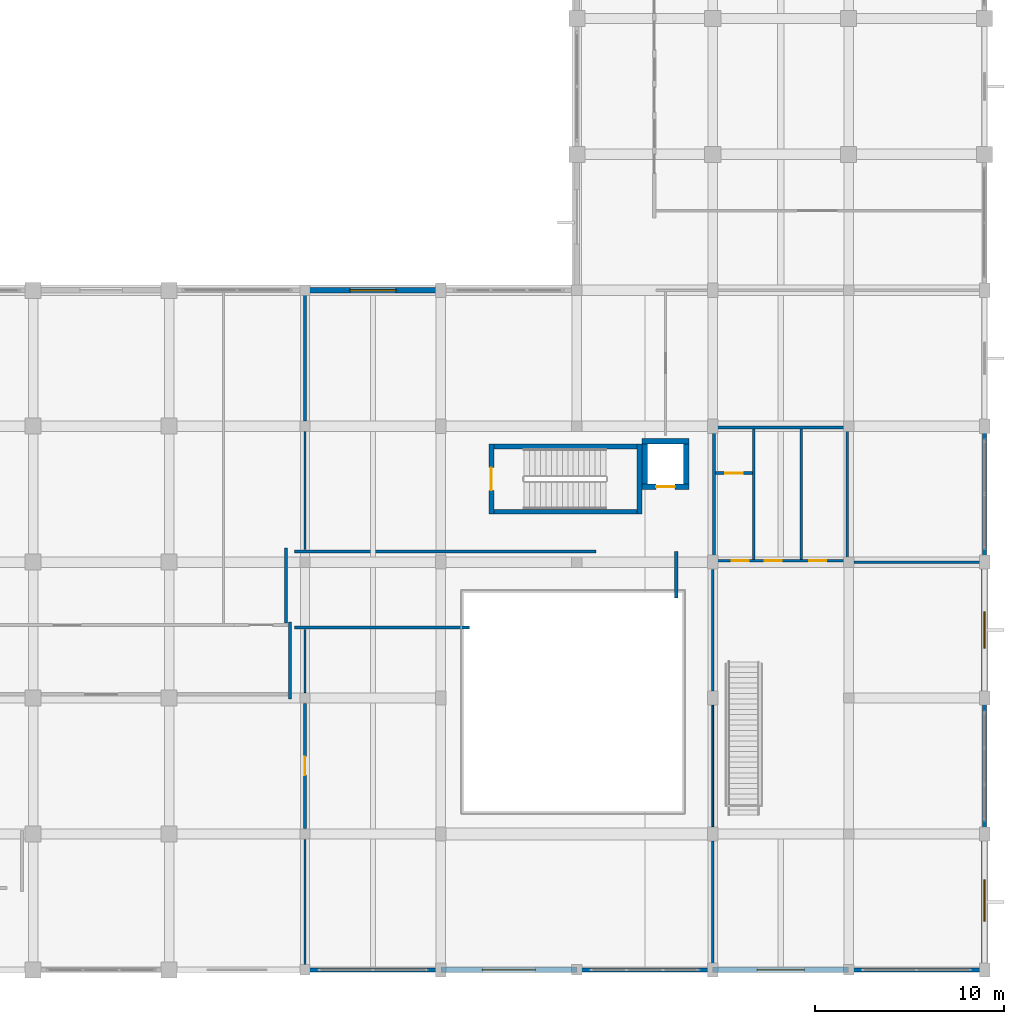
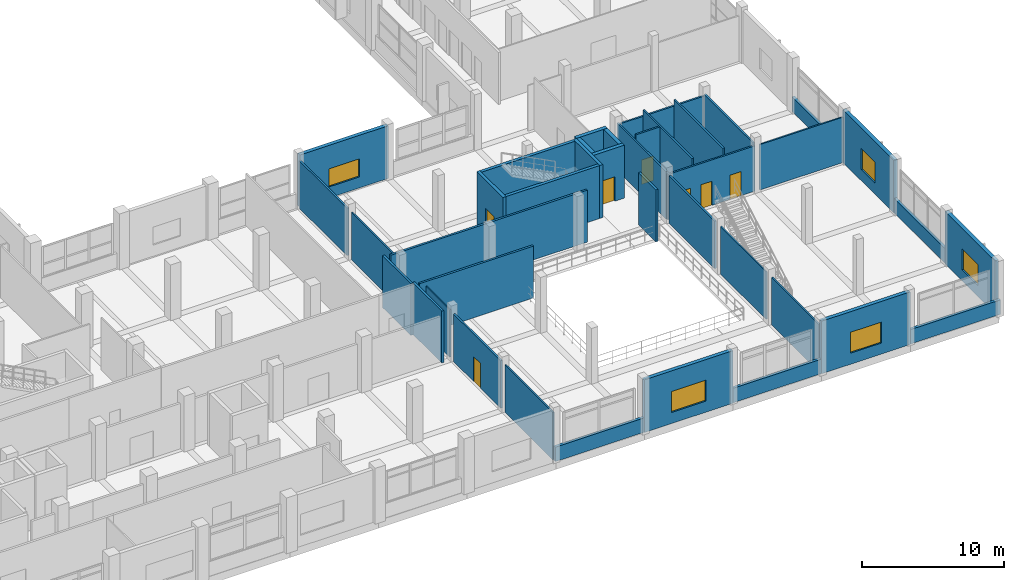
# One storey, part 165 of 181: 39 walls, 7 doors, 5 windows, 12 openings.
"""IFC4 building model written with IfcOpenShell, lengths in metres."""

from ifc_helpers import new_model, si_unit, direction, frame, frame_2d, origin, place, context, subcontext, project, spatial, rectangle, extrude, material, layer, layer_set, type_object, element, fill, save


model = new_model("IFC4")

# Units and contexts
model_context = context("Model", 3, precision=1e-05, world=origin(), true_north=direction((0.0, 1.0)))
body_context = subcontext(model_context, "Body", "Model", "MODEL_VIEW")
ifc_project = project(units=[si_unit("LENGTHUNIT", "METRE"), si_unit("AREAUNIT", "SQUARE_METRE"), si_unit("VOLUMEUNIT", "CUBIC_METRE"), si_unit("PLANEANGLEUNIT", "RADIAN"), si_unit("MASSUNIT", "GRAM", prefix="KILO")], contexts=[model_context])

# Site, building, storey
site_placement = place(None, origin())
site = spatial("IfcSite", under=ifc_project, at=site_placement, CompositionType="ELEMENT")
building_placement = place(site_placement, origin())
building = spatial("IfcBuilding", under=site, at=building_placement, Name="Seraya Terrace Polytechnic", CompositionType="ELEMENT")
storey_placement = place(building_placement, frame((0.0, 0.0, 4.800048828125)))
storey = spatial("IfcBuildingStorey", under=building, at=storey_placement, Name="L01", CompositionType="ELEMENT", Elevation=4.800048828125)

# Wall, opening, window
ifc_material_1 = material(Name="Concrete C40/50", Category="concrete")
ifc_layer_1 = layer(ifc_material_1, 0.300048828125, Name="EW-01")
ifc_layer_set_1 = layer_set([ifc_layer_1], Name="Concrete C40/50")
wall_type_1 = type_object("IfcWallType", Name="EW-01", PredefinedType="SOLIDWALL", material=ifc_layer_set_1)
wall_1_placement = place(storey_placement, frame((165.60009765625, 21.60009765625, 0.0), z_axis=(0.0, 0.0, 1.0), x_axis=(0.0, -1.0, 0.0)))
wall_1 = element("IfcWall", 1, at=wall_1_placement, inside=storey, type_object=wall_type_1, Name="Exterior structural wall EW-01 L01", PredefinedType="SOLIDWALL", context=body_context, shape_type="SweptSolid", body=[
    extrude(rectangle(XDim=7.2001953125, YDim=0.300048828125, at=frame_2d((3.60009765625, 0.0))), origin(), (0.0, 0.0, 1.0), 4.52001953125),
])
opening_1_placement = place(wall_1_placement, frame((2.625, 0.0, 0.949951171875)))
opening_1 = element("IfcOpeningElement", 2, at=opening_1_placement, cuts=wall_1, Name="Opening WN-30", PredefinedType="OPENING", context=body_context, shape_type="SweptSolid", body=[
    extrude(rectangle(XDim=1.949951171875, YDim=1.800048828125, at=frame_2d((0.97509765625, 0.89990234375))), frame((0.0, 0.162109375, 0.0), z_axis=(0.0, -1.0, 0.0), x_axis=(1.0, 0.0, 0.0)), (0.0, 0.0, 1.0), 0.323974609375),
])
ifc_material_2 = material(Name="Laminated solar-control Low-E double glazing", Category="glass")
window_type_1 = type_object("IfcWindowType", Name="WN-30", PartitioningType="SINGLE_PANEL", PredefinedType="WINDOW", material=ifc_material_2)
window_1_placement = place(opening_1_placement, origin())
window_1 = element("IfcWindow", 3, at=window_1_placement, inside=storey, type_object=window_type_1, Name="Exterior window WN-30 L01", OverallHeight=1.800048828125, OverallWidth=1.949951171875, PartitioningType="SINGLE_PANEL", PredefinedType="WINDOW", context=body_context, shape_type="SweptSolid", body=[
    extrude(rectangle(XDim=1.949951171875, YDim=1.800048828125, at=frame_2d((0.97509765625, 0.89990234375))), frame((0.0, 0.030029296875, 0.0), z_axis=(0.0, -1.0, 0.0), x_axis=(1.0, 0.0, 0.0)), (0.0, 0.0, 1.0), 0.06005859375),
])
fill(opening_1, window_1)

wall_2_placement = place(storey_placement, frame((165.60009765625, 7.199951171875, 0.0), z_axis=(0.0, 0.0, 1.0), x_axis=(0.0, -1.0, 0.0)))
wall_2 = element("IfcWall", 4, at=wall_2_placement, inside=storey, type_object=wall_type_1, Name="Exterior structural wall EW-01 L01", PredefinedType="SOLIDWALL", context=body_context, shape_type="SweptSolid", body=[
    extrude(rectangle(XDim=7.0478515625, YDim=0.300048828125, at=frame_2d((3.52392578125, 0.0))), origin(), (0.0, 0.0, 1.0), 4.52001953125),
])
opening_2_placement = place(wall_2_placement, frame((2.424072265625, 0.0, 0.949951171875)))
opening_2 = element("IfcOpeningElement", 5, at=opening_2_placement, cuts=wall_2, Name="Opening WN-31", PredefinedType="OPENING", context=body_context, shape_type="SweptSolid", body=[
    extrude(rectangle(XDim=2.199951171875, YDim=1.800048828125, at=frame_2d((1.10009765625, 0.89990234375))), frame((0.0, 0.162109375, 0.0), z_axis=(0.0, -1.0, 0.0), x_axis=(1.0, 0.0, 0.0)), (0.0, 0.0, 1.0), 0.323974609375),
])
window_type_2 = type_object("IfcWindowType", Name="WN-31", PartitioningType="SINGLE_PANEL", PredefinedType="WINDOW", material=ifc_material_2)
window_2_placement = place(opening_2_placement, origin())
window_2 = element("IfcWindow", 6, at=window_2_placement, inside=storey, type_object=window_type_2, Name="Exterior window WN-31 L01", OverallHeight=1.800048828125, OverallWidth=2.199951171875, PartitioningType="SINGLE_PANEL", PredefinedType="WINDOW", context=body_context, shape_type="SweptSolid", body=[
    extrude(rectangle(XDim=2.199951171875, YDim=1.800048828125, at=frame_2d((1.10009765625, 0.89990234375))), frame((0.0, 0.030029296875, 0.0), z_axis=(0.0, -1.0, 0.0), x_axis=(1.0, 0.0, 0.0)), (0.0, 0.0, 1.0), 0.06005859375),
])
fill(opening_2, window_2)

wall_3_placement = place(storey_placement, frame((158.39990234375, 0.0, 0.0), z_axis=(0.0, 0.0, 1.0), x_axis=(-1.0, 0.0, 0.0)))
wall_3 = element("IfcWall", 7, at=wall_3_placement, inside=storey, type_object=wall_type_1, Name="Exterior structural wall EW-01 L01", PredefinedType="SOLIDWALL", context=body_context, shape_type="SweptSolid", body=[
    extrude(rectangle(XDim=7.199951171875, YDim=0.300048828125, at=frame_2d((3.60009765625, 0.0))), origin(), (0.0, 0.0, 1.0), 4.52001953125),
])
opening_3_placement = place(wall_3_placement, frame((2.35009765625, 0.0, 0.949951171875)))
opening_3 = element("IfcOpeningElement", 8, at=opening_3_placement, cuts=wall_3, Name="Opening WN-32", PredefinedType="OPENING", context=body_context, shape_type="SweptSolid", body=[
    extrude(rectangle(XDim=2.5, YDim=1.800048828125, at=frame_2d((1.25, 0.89990234375))), frame((0.0, 0.162109375, 0.0), z_axis=(0.0, -1.0, 0.0), x_axis=(1.0, 0.0, 0.0)), (0.0, 0.0, 1.0), 0.323974609375),
])
window_type_3 = type_object("IfcWindowType", Name="WN-32", PartitioningType="SINGLE_PANEL", PredefinedType="WINDOW", material=ifc_material_2)
window_3_placement = place(opening_3_placement, origin())
window_3 = element("IfcWindow", 9, at=window_3_placement, inside=storey, type_object=window_type_3, Name="Exterior window WN-32 L01", OverallHeight=1.800048828125, OverallWidth=2.5, PartitioningType="SINGLE_PANEL", PredefinedType="WINDOW", context=body_context, shape_type="SweptSolid", body=[
    extrude(rectangle(XDim=2.5, YDim=1.800048828125, at=frame_2d((1.25, 0.89990234375))), frame((0.0, 0.030029296875, 0.0), z_axis=(0.0, -1.0, 0.0), x_axis=(1.0, 0.0, 0.0)), (0.0, 0.0, 1.0), 0.06005859375),
])
fill(opening_3, window_3)

wall_4_placement = place(storey_placement, frame((144.0, 0.0, 0.0), z_axis=(0.0, 0.0, 1.0), x_axis=(-1.0, 0.0, 0.0)))
wall_4 = element("IfcWall", 10, at=wall_4_placement, inside=storey, type_object=wall_type_1, Name="Exterior structural wall EW-01 L01", PredefinedType="SOLIDWALL", context=body_context, shape_type="SweptSolid", body=[
    extrude(rectangle(XDim=7.199951171875, YDim=0.300048828125, at=frame_2d((3.60009765625, 0.0))), origin(), (0.0, 0.0, 1.0), 4.52001953125),
])
opening_4_placement = place(wall_4_placement, frame((2.199951171875, 0.0, 0.949951171875)))
opening_4 = element("IfcOpeningElement", 11, at=opening_4_placement, cuts=wall_4, Name="Opening WN-33", PredefinedType="OPENING", context=body_context, shape_type="SweptSolid", body=[
    extrude(rectangle(XDim=2.800048828125, YDim=1.800048828125, at=frame_2d((1.39990234375, 0.89990234375))), frame((0.0, 0.162109375, 0.0), z_axis=(0.0, -1.0, 0.0), x_axis=(1.0, 0.0, 0.0)), (0.0, 0.0, 1.0), 0.323974609375),
])
window_type_4 = type_object("IfcWindowType", Name="WN-33", PartitioningType="SINGLE_PANEL", PredefinedType="WINDOW", material=ifc_material_2)
window_4_placement = place(opening_4_placement, origin())
window_4 = element("IfcWindow", 12, at=window_4_placement, inside=storey, type_object=window_type_4, Name="Exterior window WN-33 L01", OverallHeight=1.800048828125, OverallWidth=2.800048828125, PartitioningType="SINGLE_PANEL", PredefinedType="WINDOW", context=body_context, shape_type="SweptSolid", body=[
    extrude(rectangle(XDim=2.800048828125, YDim=1.800048828125, at=frame_2d((1.39990234375, 0.89990234375))), frame((0.0, 0.030029296875, 0.0), z_axis=(0.0, -1.0, 0.0), x_axis=(1.0, 0.0, 0.0)), (0.0, 0.0, 1.0), 0.06005859375),
])
fill(opening_4, window_4)

wall_5_placement = place(storey_placement, frame((129.60009765625, 36.0, 0.0), z_axis=(0.0, 0.0, 1.0), x_axis=(1.0, 0.0, 0.0)))
wall_5 = element("IfcWall", 13, at=wall_5_placement, inside=storey, type_object=wall_type_1, Name="Exterior structural wall EW-01 L01", PredefinedType="SOLIDWALL", context=body_context, shape_type="SweptSolid", body=[
    extrude(rectangle(XDim=7.199951171875, YDim=0.300048828125, at=frame_2d((3.60009765625, 0.0))), origin(), (0.0, 0.0, 1.0), 4.52001953125),
])
opening_5_placement = place(wall_5_placement, frame((2.375, 0.0, 0.949951171875)))
opening_5 = element("IfcOpeningElement", 14, at=opening_5_placement, cuts=wall_5, Name="Opening WN-21", PredefinedType="OPENING", context=body_context, shape_type="SweptSolid", body=[
    extrude(rectangle(XDim=2.449951171875, YDim=1.550048828125, at=frame_2d((1.22509765625, 0.77490234375))), frame((0.0, 0.162109375, 0.0), z_axis=(0.0, -1.0, 0.0), x_axis=(1.0, 0.0, 0.0)), (0.0, 0.0, 1.0), 0.323974609375),
])
window_type_5 = type_object("IfcWindowType", Name="WN-21", PartitioningType="SINGLE_PANEL", PredefinedType="WINDOW", material=ifc_material_2)
window_5_placement = place(opening_5_placement, origin())
window_5 = element("IfcWindow", 15, at=window_5_placement, inside=storey, type_object=window_type_5, Name="Exterior window WN-21 L01", OverallHeight=1.550048828125, OverallWidth=2.449951171875, PartitioningType="SINGLE_PANEL", PredefinedType="WINDOW", context=body_context, shape_type="SweptSolid", body=[
    extrude(rectangle(XDim=2.449951171875, YDim=1.550048828125, at=frame_2d((1.22509765625, 0.77490234375))), frame((0.0, 0.030029296875, 0.0), z_axis=(0.0, -1.0, 0.0), x_axis=(1.0, 0.0, 0.0)), (0.0, 0.0, 1.0), 0.06005859375),
])
fill(opening_5, window_5)

# Walls
ifc_material_3 = material(Name="Precast concrete C40/50", Category="concrete")
ifc_layer_2 = layer(ifc_material_3, 0.219970703125, Name="EW-05")
ifc_layer_set_2 = layer_set([ifc_layer_2], Name="Precast concrete C40/50")
wall_type_2 = type_object("IfcWallType", Name="EW-05", PredefinedType="SOLIDWALL", material=ifc_layer_set_2)
for number, where, z_axis, x_axis, name in (
    (16, (165.60009765625, 28.800048828125, 0.0), (0.0, 0.0, 1.0), (0.0, -1.0, 0.0), "Precast spandrel wall L01"),
    (17, (165.60009765625, 14.39990234375, 0.0), (0.0, 0.0, 1.0), (0.0, -1.0, 0.0), "Precast spandrel wall L01"),
):
    element("IfcWall", number, at=place(storey_placement, frame(where, z_axis=z_axis, x_axis=x_axis)), inside=storey, type_object=wall_type_2, Name=name, PredefinedType="SOLIDWALL", context=body_context, shape_type="SweptSolid", body=[
        extrude(rectangle(XDim=7.199951171875, YDim=0.219970703125, at=frame_2d((3.60009765625, 0.0))), origin(), (0.0, 0.0, 1.0), 1.239990234375),
    ])
wall_6_placement = place(storey_placement, frame((165.75, 0.0, 0.0), z_axis=(0.0, 0.0, 1.0), x_axis=(-1.0, 0.0, 0.0)))
element("IfcWall", 18, at=wall_6_placement, inside=storey, type_object=wall_type_2, Name="Precast spandrel wall L01", PredefinedType="SOLIDWALL", context=body_context, shape_type="SweptSolid", body=[
    extrude(rectangle(XDim=7.35009765625, YDim=0.219970703125, at=frame_2d((3.675048828125, 0.0))), origin(), (0.0, 0.0, 1.0), 1.239990234375),
])
for number, where, z_axis, x_axis, name in (
    (19, (151.199951171875, 0.0, 0.0), (0.0, 0.0, 1.0), (-1.0, 0.0, 0.0), "Precast spandrel wall L01"),
    (20, (136.800048828125, 0.0, 0.0), (0.0, 0.0, 1.0), (-1.0, 0.0, 0.0), "Precast spandrel wall L01"),
):
    element("IfcWall", number, at=place(storey_placement, frame(where, z_axis=z_axis, x_axis=x_axis)), inside=storey, type_object=wall_type_2, Name=name, PredefinedType="SOLIDWALL", context=body_context, shape_type="SweptSolid", body=[
        extrude(rectangle(XDim=7.199951171875, YDim=0.219970703125, at=frame_2d((3.60009765625, 0.0))), origin(), (0.0, 0.0, 1.0), 1.239990234375),
    ])
ifc_material_4 = material(Name="Autoclaved aerated concrete blockwork", Category="masonry")
ifc_layer_3 = layer(ifc_material_4, 0.169921875, Name="PT-02")
ifc_layer_set_3 = layer_set([ifc_layer_3], Name="Autoclaved aerated concrete blockwork")
wall_type_3 = type_object("IfcWallType", Name="PT-02", PredefinedType="PARTITIONING", material=ifc_layer_set_3)
wall_7_placement = place(storey_placement, frame((128.800048828125, 14.360107421875, 0.0), z_axis=(0.0, 0.0, 1.0), x_axis=(0.0, 1.0, 0.0)))
element("IfcWall", 21, at=wall_7_placement, inside=storey, type_object=wall_type_3, Name="Internal partition PT-02 L01", PredefinedType="PARTITIONING", context=body_context, shape_type="SweptSolid", body=[
    extrude(rectangle(XDim=4.079833984375, YDim=0.169921875, at=frame_2d((2.0400390625, 0.0))), origin(), (0.0, 0.0, 1.0), 4.4599609375),
])
wall_8_placement = place(storey_placement, frame((149.27001953125, 19.697998046875, 0.0), z_axis=(0.0, 0.0, 1.0), x_axis=(0.0, 1.0, 0.0)))
element("IfcWall", 22, at=wall_8_placement, inside=storey, type_object=wall_type_3, Name="Internal partition PT-02 L01", PredefinedType="PARTITIONING", context=body_context, shape_type="SweptSolid", body=[
    extrude(rectangle(XDim=2.4619140625, YDim=0.169921875, at=frame_2d((1.23095703125, 0.0))), origin(), (0.0, 0.0, 1.0), 4.4599609375),
])
wall_9_placement = place(storey_placement, frame((129.0400390625, 18.1298828125, 0.0), z_axis=(0.0, 0.0, 1.0), x_axis=(1.0, 0.0, 0.0)))
element("IfcWall", 23, at=wall_9_placement, inside=storey, type_object=wall_type_3, Name="Internal partition PT-02 L01", PredefinedType="PARTITIONING", context=body_context, shape_type="SweptSolid", body=[
    extrude(rectangle(XDim=9.261962890625, YDim=0.169921875, at=frame_2d((4.630859375, 0.0))), origin(), (0.0, 0.0, 1.0), 4.4599609375),
])
wall_10_placement = place(storey_placement, frame((129.0400390625, 22.169921875, 0.0), z_axis=(0.0, 0.0, 1.0), x_axis=(1.0, 0.0, 0.0)))
element("IfcWall", 24, at=wall_10_placement, inside=storey, type_object=wall_type_3, Name="Internal partition PT-02 L01", PredefinedType="PARTITIONING", context=body_context, shape_type="SweptSolid", body=[
    extrude(rectangle(XDim=15.971923828125, YDim=0.169921875, at=frame_2d((7.98583984375, 0.0))), origin(), (0.0, 0.0, 1.0), 4.4599609375),
])
wall_11_placement = place(storey_placement, frame((128.60009765625, 18.3701171875, 0.0), z_axis=(0.0, 0.0, 1.0), x_axis=(0.0, 1.0, 0.0)))
element("IfcWall", 25, at=wall_11_placement, inside=storey, type_object=wall_type_3, Name="Internal partition PT-02 L01", PredefinedType="PARTITIONING", context=body_context, shape_type="SweptSolid", body=[
    extrude(rectangle(XDim=3.969970703125, YDim=0.169921875, at=frame_2d((1.98486328125, 0.0))), origin(), (0.0, 0.0, 1.0), 4.4599609375),
])

# Wall, opening, door
ifc_layer_4 = layer(ifc_material_4, 0.14990234375, Name="PT-03")
ifc_layer_set_4 = layer_set([ifc_layer_4], Name="Autoclaved aerated concrete blockwork")
wall_type_4 = type_object("IfcWallType", Name="PT-03", PredefinedType="PARTITIONING", material=ifc_layer_set_4)
wall_12_placement = place(storey_placement, frame((129.60009765625, 7.485107421875, 0.0), z_axis=(0.0, 0.0, 1.0), x_axis=(0.0, 1.0, 0.0)))
wall_12 = element("IfcWall", 26, at=wall_12_placement, inside=storey, type_object=wall_type_4, Name="Internal partition PT-03 L01", PredefinedType="PARTITIONING", context=body_context, shape_type="SweptSolid", body=[
    extrude(rectangle(XDim=6.6298828125, YDim=0.14990234375, at=frame_2d((3.31494140625, 0.0))), origin(), (0.0, 0.0, 1.0), 4.079833984375),
])
opening_6_placement = place(wall_12_placement, frame((2.824951171875, 0.0, 0.0)))
opening_6 = element("IfcOpeningElement", 27, at=opening_6_placement, cuts=wall_12, Name="Opening ID-03", PredefinedType="OPENING", context=body_context, shape_type="SweptSolid", body=[
    extrude(rectangle(XDim=0.97998046875, YDim=2.139892578125, at=frame_2d((0.489990234375, 1.06982421875))), frame((0.0, 0.0869140625, 0.0), z_axis=(0.0, -1.0, 0.0), x_axis=(1.0, 0.0, 0.0)), (0.0, 0.0, 1.0), 0.173828125),
])
ifc_material_5 = material(Name="Malaysian dark red meranti hardwood timber D40", Category="wood")
door_type_1 = type_object("IfcDoorType", Name="ID-03", OperationType="NOTDEFINED", PredefinedType="DOOR", material=ifc_material_5)
door_1_placement = place(opening_6_placement, origin())
door_1 = element("IfcDoor", 28, at=door_1_placement, inside=storey, type_object=door_type_1, Name="Door ID-03 DR-INT-L01-0112 in WL-INT-L01-0379", OperationType="SINGLE_SWING_LEFT", OverallHeight=2.139892578125, OverallWidth=0.97998046875, PredefinedType="DOOR", context=body_context, shape_type="SweptSolid", body=[
    extrude(rectangle(XDim=0.97998046875, YDim=2.139892578125, at=frame_2d((0.489990234375, 1.06982421875))), frame((0.0, 0.02490234375, 0.0), z_axis=(0.0, -1.0, 0.0), x_axis=(1.0, 0.0, 0.0)), (0.0, 0.0, 1.0), 0.050048828125),
])
fill(opening_6, door_1)

# Walls
wall_13_placement = place(storey_placement, frame((151.199951171875, 14.784912109375, 0.0), z_axis=(0.0, 0.0, 1.0), x_axis=(0.0, 1.0, 0.0)))
element("IfcWall", 29, at=wall_13_placement, inside=storey, type_object=wall_type_4, Name="Internal partition PT-03 L01", PredefinedType="PARTITIONING", context=body_context, shape_type="SweptSolid", body=[
    extrude(rectangle(XDim=6.43017578125, YDim=0.14990234375, at=frame_2d((3.215087890625, 0.0))), origin(), (0.0, 0.0, 1.0), 4.079833984375),
])
wall_14_placement = place(storey_placement, frame((129.60009765625, 29.0849609375, 0.0), z_axis=(0.0, 0.0, 1.0), x_axis=(0.0, 1.0, 0.0)))
element("IfcWall", 30, at=wall_14_placement, inside=storey, type_object=wall_type_4, Name="Internal partition PT-03 L01", PredefinedType="PARTITIONING", context=body_context, shape_type="SweptSolid", body=[
    extrude(rectangle(XDim=6.7529296875, YDim=0.14990234375, at=frame_2d((3.37646484375, 0.0))), origin(), (0.0, 0.0, 1.0), 4.079833984375),
])

# Wall, openings, doors
ifc_layer_5 = layer(ifc_material_4, 0.139892578125, Name="PT-04")
ifc_layer_set_5 = layer_set([ifc_layer_5], Name="Autoclaved aerated concrete blockwork")
wall_type_5 = type_object("IfcWallType", Name="PT-04", PredefinedType="PARTITIONING", material=ifc_layer_set_5)
wall_15_placement = place(storey_placement, frame((151.27001953125, 21.669921875, 0.0), z_axis=(0.0, 0.0, 1.0), x_axis=(1.0, 0.0, 0.0)))
wall_15 = element("IfcWall", 31, at=wall_15_placement, inside=storey, type_object=wall_type_5, Name="Sanitary WC-D South wall L01", PredefinedType="PARTITIONING", context=body_context, shape_type="SweptSolid", body=[
    extrude(rectangle(XDim=7.06005859375, YDim=0.139892578125, at=frame_2d((3.530029296875, 0.0))), origin(), (0.0, 0.0, 1.0), 3.89990234375),
])
opening_7_placement = place(wall_15_placement, frame((0.949951171875, 0.0, 0.0)))
opening_7 = element("IfcOpeningElement", 32, at=opening_7_placement, cuts=wall_15, Name="Opening ID-02", PredefinedType="OPENING", context=body_context, shape_type="SweptSolid", body=[
    extrude(rectangle(XDim=0.89990234375, YDim=2.080078125, at=frame_2d((0.449951171875, 1.0400390625))), frame((0.0, 0.08203125, 0.0), z_axis=(0.0, -1.0, 0.0), x_axis=(1.0, 0.0, 0.0)), (0.0, 0.0, 1.0), 0.163818359375),
])
opening_8_placement = place(wall_15_placement, frame((2.679931640625, 0.0, 0.0)))
opening_8 = element("IfcOpeningElement", 33, at=opening_8_placement, cuts=wall_15, Name="Opening ID-02", PredefinedType="OPENING", context=body_context, shape_type="SweptSolid", body=[
    extrude(rectangle(XDim=0.89990234375, YDim=2.080078125, at=frame_2d((0.449951171875, 1.0400390625))), frame((0.0, 0.08203125, 0.0), z_axis=(0.0, -1.0, 0.0), x_axis=(1.0, 0.0, 0.0)), (0.0, 0.0, 1.0), 0.163818359375),
])
opening_9_placement = place(wall_15_placement, frame((5.050048828125, 0.0, 0.0)))
opening_9 = element("IfcOpeningElement", 34, at=opening_9_placement, cuts=wall_15, Name="Opening ID-02", PredefinedType="OPENING", context=body_context, shape_type="SweptSolid", body=[
    extrude(rectangle(XDim=0.89990234375, YDim=2.080078125, at=frame_2d((0.449951171875, 1.0400390625))), frame((0.0, 0.08203125, 0.0), z_axis=(0.0, -1.0, 0.0), x_axis=(1.0, 0.0, 0.0)), (0.0, 0.0, 1.0), 0.163818359375),
])
door_type_2 = type_object("IfcDoorType", Name="ID-02", OperationType="NOTDEFINED", PredefinedType="DOOR", material=ifc_material_5)
door_2_placement = place(opening_7_placement, origin())
door_2 = element("IfcDoor", 35, at=door_2_placement, inside=storey, type_object=door_type_2, Name="Door ID-02 DR-WC-WC-D-L01-CLN in WL-WC-WC-D-L01-S", OperationType="SINGLE_SWING_LEFT", OverallHeight=2.080078125, OverallWidth=0.89990234375, PredefinedType="DOOR", context=body_context, shape_type="SweptSolid", body=[
    extrude(rectangle(XDim=0.89990234375, YDim=2.080078125, at=frame_2d((0.449951171875, 1.0400390625))), frame((0.0, 0.02490234375, 0.0), z_axis=(0.0, -1.0, 0.0), x_axis=(1.0, 0.0, 0.0)), (0.0, 0.0, 1.0), 0.050048828125),
])
fill(opening_7, door_2)
door_3_placement = place(opening_8_placement, origin())
door_3 = element("IfcDoor", 36, at=door_3_placement, inside=storey, type_object=door_type_2, Name="Door ID-02 DR-WC-WC-D-L01-M in WL-WC-WC-D-L01-S", OperationType="SINGLE_SWING_RIGHT", OverallHeight=2.080078125, OverallWidth=0.89990234375, PredefinedType="DOOR", context=body_context, shape_type="SweptSolid", body=[
    extrude(rectangle(XDim=0.89990234375, YDim=2.080078125, at=frame_2d((0.449951171875, 1.0400390625))), frame((0.0, 0.02490234375, 0.0), z_axis=(0.0, -1.0, 0.0), x_axis=(1.0, 0.0, 0.0)), (0.0, 0.0, 1.0), 0.050048828125),
])
fill(opening_8, door_3)
door_4_placement = place(opening_9_placement, origin())
door_4 = element("IfcDoor", 37, at=door_4_placement, inside=storey, type_object=door_type_2, Name="Door ID-02 DR-WC-WC-D-L01-F in WL-WC-WC-D-L01-S", OperationType="SINGLE_SWING_LEFT", OverallHeight=2.080078125, OverallWidth=0.89990234375, PredefinedType="DOOR", context=body_context, shape_type="SweptSolid", body=[
    extrude(rectangle(XDim=0.89990234375, YDim=2.080078125, at=frame_2d((0.449951171875, 1.0400390625))), frame((0.0, 0.02490234375, 0.0), z_axis=(0.0, -1.0, 0.0), x_axis=(1.0, 0.0, 0.0)), (0.0, 0.0, 1.0), 0.050048828125),
])
fill(opening_9, door_4)

# Walls
wall_16_placement = place(storey_placement, frame((151.27001953125, 28.72998046875, 0.0), z_axis=(0.0, 0.0, 1.0), x_axis=(1.0, 0.0, 0.0)))
element("IfcWall", 38, at=wall_16_placement, inside=storey, type_object=wall_type_5, Name="Sanitary WC-D North wall L01", PredefinedType="PARTITIONING", context=body_context, shape_type="SweptSolid", body=[
    extrude(rectangle(XDim=7.06005859375, YDim=0.139892578125, at=frame_2d((3.530029296875, 0.0))), origin(), (0.0, 0.0, 1.0), 3.89990234375),
])
for number, where, z_axis, x_axis, name in (
    (39, (151.27001953125, 21.75, 0.0), (0.0, 0.0, 1.0), (0.0, 1.0, 0.0), "Sanitary WC-D West wall L01"),
    (40, (158.330078125, 21.75, 0.0), (0.0, 0.0, 1.0), (0.0, 1.0, 0.0), "Sanitary WC-D East wall L01"),
):
    element("IfcWall", number, at=place(storey_placement, frame(where, z_axis=z_axis, x_axis=x_axis)), inside=storey, type_object=wall_type_5, Name=name, PredefinedType="PARTITIONING", context=body_context, shape_type="SweptSolid", body=[
        extrude(rectangle(XDim=6.89990234375, YDim=0.139892578125, at=frame_2d((3.449951171875, 0.0))), origin(), (0.0, 0.0, 1.0), 4.079833984375),
    ])
for number, where, z_axis, x_axis, name in (
    (41, (153.3798828125, 21.75, 0.0), (0.0, 0.0, 1.0), (0.0, 1.0, 0.0), "Sanitary WC-D OKU/Male divider L01"),
    (42, (155.889892578125, 21.75, 0.0), (0.0, 0.0, 1.0), (0.0, 1.0, 0.0), "Sanitary WC-D Male/Female divider L01"),
):
    element("IfcWall", number, at=place(storey_placement, frame(where, z_axis=z_axis, x_axis=x_axis)), inside=storey, type_object=wall_type_5, Name=name, PredefinedType="PARTITIONING", context=body_context, shape_type="SweptSolid", body=[
        extrude(rectangle(XDim=6.89990234375, YDim=0.139892578125, at=frame_2d((3.449951171875, 0.0))), origin(), (0.0, 0.0, 1.0), 4.4599609375),
    ])

# Wall, opening, door
wall_17_placement = place(storey_placement, frame((151.35009765625, 26.320068359375, 0.0), z_axis=(0.0, 0.0, 1.0), x_axis=(1.0, 0.0, 0.0)))
wall_17 = element("IfcWall", 43, at=wall_17_placement, inside=storey, type_object=wall_type_5, Name="Sanitary WC-D OKU/Cleaner divider L01", PredefinedType="PARTITIONING", context=body_context, shape_type="SweptSolid", body=[
    extrude(rectangle(XDim=1.949951171875, YDim=0.139892578125, at=frame_2d((0.97509765625, 0.0))), origin(), (0.0, 0.0, 1.0), 4.4599609375),
])
opening_10_placement = place(wall_17_placement, frame((0.5, 0.0, 0.0)))
opening_10 = element("IfcOpeningElement", 44, at=opening_10_placement, cuts=wall_17, Name="Opening ID-01", PredefinedType="OPENING", context=body_context, shape_type="SweptSolid", body=[
    extrude(rectangle(XDim=0.93994140625, YDim=2.10009765625, at=frame_2d((0.469970703125, 1.050048828125))), frame((0.0, 0.08203125, 0.0), z_axis=(0.0, -1.0, 0.0), x_axis=(1.0, 0.0, 0.0)), (0.0, 0.0, 1.0), 0.163818359375),
])
door_type_3 = type_object("IfcDoorType", Name="ID-01", OperationType="NOTDEFINED", PredefinedType="DOOR", material=ifc_material_5)
door_5_placement = place(opening_10_placement, frame((0.93994140625, 0.0, 0.0), z_axis=(0.0, 0.0, 1.0), x_axis=(-1.0, 0.0, 0.0)))
door_5 = element("IfcDoor", 45, at=door_5_placement, inside=storey, type_object=door_type_3, Name="Door ID-01 DR-WC-WC-D-L01-OKU in WL-WC-WC-D-L01-DH", OperationType="SINGLE_SWING_RIGHT", OverallHeight=2.10009765625, OverallWidth=0.93994140625, PredefinedType="DOOR", context=body_context, shape_type="SweptSolid", body=[
    extrude(rectangle(XDim=0.93994140625, YDim=2.10009765625, at=frame_2d((0.469970703125, 1.050048828125))), frame((0.0, 0.02490234375, 0.0), z_axis=(0.0, -1.0, 0.0), x_axis=(1.0, 0.0, 0.0)), (0.0, 0.0, 1.0), 0.050048828125),
])
fill(opening_10, door_5)

# Walls
ifc_layer_6 = layer(ifc_material_4, 0.1201171875, Name="PT-05")
ifc_layer_set_6 = layer_set([ifc_layer_6], Name="Autoclaved aerated concrete blockwork")
wall_type_6 = type_object("IfcWallType", Name="PT-05", PredefinedType="PARTITIONING", material=ifc_layer_set_6)
wall_18_placement = place(storey_placement, frame((129.60009765625, 0.162109375, 0.0), z_axis=(0.0, 0.0, 1.0), x_axis=(0.0, 1.0, 0.0)))
element("IfcWall", 46, at=wall_18_placement, inside=storey, type_object=wall_type_6, Name="Internal partition PT-05 L01", PredefinedType="PARTITIONING", context=body_context, shape_type="SweptSolid", body=[
    extrude(rectangle(XDim=6.7529296875, YDim=0.1201171875, at=frame_2d((3.37646484375, 0.0))), origin(), (0.0, 0.0, 1.0), 4.079833984375),
])
wall_19_placement = place(storey_placement, frame((151.199951171875, 0.162109375, 0.0), z_axis=(0.0, 0.0, 1.0), x_axis=(0.0, 1.0, 0.0)))
element("IfcWall", 47, at=wall_19_placement, inside=storey, type_object=wall_type_6, Name="Internal partition PT-05 L01", PredefinedType="PARTITIONING", context=body_context, shape_type="SweptSolid", body=[
    extrude(rectangle(XDim=6.65283203125, YDim=0.1201171875, at=frame_2d((3.326416015625, 0.0))), origin(), (0.0, 0.0, 1.0), 4.079833984375),
])
wall_20_placement = place(storey_placement, frame((158.68505859375, 21.60009765625, 0.0), z_axis=(0.0, 0.0, 1.0), x_axis=(1.0, 0.0, 0.0)))
element("IfcWall", 48, at=wall_20_placement, inside=storey, type_object=wall_type_6, Name="Internal partition PT-05 L01", PredefinedType="PARTITIONING", context=body_context, shape_type="SweptSolid", body=[
    extrude(rectangle(XDim=6.7529296875, YDim=0.1201171875, at=frame_2d((3.37646484375, 0.0))), origin(), (0.0, 0.0, 1.0), 3.89990234375),
])
wall_21_placement = place(storey_placement, frame((129.60009765625, 22.27001953125, 0.0), z_axis=(0.0, 0.0, 1.0), x_axis=(0.0, 1.0, 0.0)))
element("IfcWall", 49, at=wall_21_placement, inside=storey, type_object=wall_type_6, Name="Internal partition PT-05 L01", PredefinedType="PARTITIONING", context=body_context, shape_type="SweptSolid", body=[
    extrude(rectangle(XDim=6.244873046875, YDim=0.1201171875, at=frame_2d((3.12255859375, 0.0))), origin(), (0.0, 0.0, 1.0), 4.079833984375),
])
ifc_layer_7 = layer(ifc_material_4, 0.10009765625, Name="PT-06")
ifc_layer_set_7 = layer_set([ifc_layer_7], Name="Autoclaved aerated concrete blockwork")
wall_type_7 = type_object("IfcWallType", Name="PT-06", PredefinedType="PARTITIONING", material=ifc_layer_set_7)
wall_22_placement = place(storey_placement, frame((129.60009765625, 14.68505859375, 0.0), z_axis=(0.0, 0.0, 1.0), x_axis=(0.0, 1.0, 0.0)))
element("IfcWall", 50, at=wall_22_placement, inside=storey, type_object=wall_type_7, Name="Internal partition PT-06 L01", PredefinedType="PARTITIONING", context=body_context, shape_type="SweptSolid", body=[
    extrude(rectangle(XDim=3.344970703125, YDim=0.10009765625, at=frame_2d((1.67236328125, 0.0))), origin(), (0.0, 0.0, 1.0), 4.079833984375),
])
wall_23_placement = place(storey_placement, frame((151.199951171875, 7.5849609375, 0.0), z_axis=(0.0, 0.0, 1.0), x_axis=(0.0, 1.0, 0.0)))
element("IfcWall", 51, at=wall_23_placement, inside=storey, type_object=wall_type_7, Name="Internal partition PT-06 L01", PredefinedType="PARTITIONING", context=body_context, shape_type="SweptSolid", body=[
    extrude(rectangle(XDim=6.429931640625, YDim=0.10009765625, at=frame_2d((3.21484375, 0.0))), origin(), (0.0, 0.0, 1.0), 4.079833984375),
])

# Wall, opening, door
ifc_layer_8 = layer(ifc_material_1, 0.300048828125, Name="SW-01")
ifc_layer_set_8 = layer_set([ifc_layer_8], Name="Concrete C40/50")
wall_type_8 = type_object("IfcWallType", Name="SW-01", PredefinedType="SHEAR", material=ifc_layer_set_8)
wall_24_placement = place(storey_placement, frame((147.449951171875, 25.60009765625, 0.0), z_axis=(0.0, 0.0, 1.0), x_axis=(1.0, 0.0, 0.0)))
wall_24 = element("IfcWall", 52, at=wall_24_placement, inside=storey, type_object=wall_type_8, Name="Lift shaft PL-06 South wall L01", PredefinedType="SHEAR", context=body_context, shape_type="SweptSolid", body=[
    extrude(rectangle(XDim=2.5, YDim=0.300048828125, at=frame_2d((1.25, 0.0))), origin(), (0.0, 0.0, 1.0), 4.550048828125),
])
opening_11_placement = place(wall_24_placement, frame((0.75, 0.0, 0.0)))
opening_11 = element("IfcOpeningElement", 53, at=opening_11_placement, cuts=wall_24, Name="Opening LD-01", PredefinedType="OPENING", context=body_context, shape_type="SweptSolid", body=[
    extrude(rectangle(XDim=1.0, YDim=2.10009765625, at=frame_2d((0.5, 1.050048828125))), frame((0.0, 0.162109375, 0.0), z_axis=(0.0, -1.0, 0.0), x_axis=(1.0, 0.0, 0.0)), (0.0, 0.0, 1.0), 0.323974609375),
])
ifc_material_6 = material(Name="Steel S355J2", Category="steel")
door_type_4 = type_object("IfcDoorType", Name="LD-01", OperationType="SLIDING_TO_LEFT", PredefinedType="DOOR", material=ifc_material_6)
door_6_placement = place(opening_11_placement, frame((1.0, 0.0, 0.0), z_axis=(0.0, 0.0, 1.0), x_axis=(-1.0, 0.0, 0.0)))
door_6 = element("IfcDoor", 54, at=door_6_placement, inside=storey, type_object=door_type_4, Name="Door LD-01 LD-PL-06-L01 in WL-SHF-PL-06-L01-S", OperationType="SLIDING_TO_RIGHT", OverallHeight=2.10009765625, OverallWidth=1.0, PredefinedType="DOOR", context=body_context, shape_type="SweptSolid", body=[
    extrude(rectangle(XDim=1.0, YDim=2.10009765625, at=frame_2d((0.5, 1.050048828125))), frame((0.0, 0.02490234375, 0.0), z_axis=(0.0, -1.0, 0.0), x_axis=(1.0, 0.0, 0.0)), (0.0, 0.0, 1.0), 0.050048828125),
])
fill(opening_11, door_6)

# Walls
wall_25_placement = place(storey_placement, frame((147.449951171875, 28.0, 0.0), z_axis=(0.0, 0.0, 1.0), x_axis=(1.0, 0.0, 0.0)))
element("IfcWall", 55, at=wall_25_placement, inside=storey, type_object=wall_type_8, Name="Lift shaft PL-06 North wall L01", PredefinedType="SHEAR", context=body_context, shape_type="SweptSolid", body=[
    extrude(rectangle(XDim=2.5, YDim=0.300048828125, at=frame_2d((1.25, 0.0))), origin(), (0.0, 0.0, 1.0), 4.550048828125),
])
for number, where, z_axis, x_axis, name in (
    (56, (147.60009765625, 25.75, 0.0), (0.0, 0.0, 1.0), (0.0, 1.0, 0.0), "Lift shaft PL-06 West wall L01"),
    (57, (149.800048828125, 25.75, 0.0), (0.0, 0.0, 1.0), (0.0, 1.0, 0.0), "Lift shaft PL-06 East wall L01"),
):
    element("IfcWall", number, at=place(storey_placement, frame(where, z_axis=z_axis, x_axis=x_axis)), inside=storey, type_object=wall_type_8, Name=name, PredefinedType="SHEAR", context=body_context, shape_type="SweptSolid", body=[
        extrude(rectangle(XDim=2.10009765625, YDim=0.300048828125, at=frame_2d((1.050048828125, 0.0))), origin(), (0.0, 0.0, 1.0), 4.550048828125),
    ])

# Wall, opening, door
ifc_layer_9 = layer(ifc_material_1, 0.25, Name="SW-02")
ifc_layer_set_9 = layer_set([ifc_layer_9], Name="Concrete C40/50")
wall_type_9 = type_object("IfcWallType", Name="SW-02", PredefinedType="SHEAR", material=ifc_layer_set_9)
wall_26_placement = place(storey_placement, frame((139.47509765625, 24.14990234375, 0.0), z_axis=(0.0, 0.0, 1.0), x_axis=(0.0, 1.0, 0.0)))
wall_26 = element("IfcWall", 58, at=wall_26_placement, inside=storey, type_object=wall_type_9, Name="Stairwell ST-10 West wall L01", PredefinedType="SHEAR", context=body_context, shape_type="SweptSolid", body=[
    extrude(rectangle(XDim=3.7001953125, YDim=0.25, at=frame_2d((1.85009765625, 0.0))), origin(), (0.0, 0.0, 1.0), 4.550048828125),
])
opening_12_placement = place(wall_26_placement, frame((1.25, 0.0, 0.0)))
opening_12 = element("IfcOpeningElement", 59, at=opening_12_placement, cuts=wall_26, Name="Opening FD-01", PredefinedType="OPENING", context=body_context, shape_type="SweptSolid", body=[
    extrude(rectangle(XDim=1.199951171875, YDim=2.14990234375, at=frame_2d((0.60009765625, 1.074951171875))), frame((0.0, 0.136962890625, 0.0), z_axis=(0.0, -1.0, 0.0), x_axis=(1.0, 0.0, 0.0)), (0.0, 0.0, 1.0), 0.27392578125),
])
door_type_5 = type_object("IfcDoorType", Name="FD-01", OperationType="NOTDEFINED", PredefinedType="DOOR", material=ifc_material_6)
door_7_placement = place(opening_12_placement, frame((1.199951171875, 0.0, 0.0), z_axis=(0.0, 0.0, 1.0), x_axis=(-1.0, 0.0, 0.0)))
door_7 = element("IfcDoor", 60, at=door_7_placement, inside=storey, type_object=door_type_5, Name="Door FD-01 DR-STR-ST-10-L01 in WL-STR-ST-10-L01-W", OperationType="SINGLE_SWING_RIGHT", OverallHeight=2.14990234375, OverallWidth=1.199951171875, PredefinedType="DOOR", context=body_context, shape_type="SweptSolid", body=[
    extrude(rectangle(XDim=1.199951171875, YDim=2.14990234375, at=frame_2d((0.60009765625, 1.074951171875))), frame((0.0, 0.02490234375, 0.0), z_axis=(0.0, -1.0, 0.0), x_axis=(1.0, 0.0, 0.0)), (0.0, 0.0, 1.0), 0.050048828125),
])
fill(opening_12, door_7)

# Walls
wall_27_placement = place(storey_placement, frame((147.324951171875, 24.14990234375, 0.0), z_axis=(0.0, 0.0, 1.0), x_axis=(0.0, 1.0, 0.0)))
element("IfcWall", 61, at=wall_27_placement, inside=storey, type_object=wall_type_9, Name="Stairwell ST-10 East wall L01", PredefinedType="SHEAR", context=body_context, shape_type="SweptSolid", body=[
    extrude(rectangle(XDim=3.7001953125, YDim=0.25, at=frame_2d((1.85009765625, 0.0))), origin(), (0.0, 0.0, 1.0), 4.550048828125),
])
for number, where, z_axis, x_axis, name in (
    (62, (139.60009765625, 24.27490234375, 0.0), (0.0, 0.0, 1.0), (1.0, 0.0, 0.0), "Stairwell ST-10 South wall L01"),
    (63, (139.60009765625, 27.72509765625, 0.0), (0.0, 0.0, 1.0), (1.0, 0.0, 0.0), "Stairwell ST-10 North wall L01"),
):
    element("IfcWall", number, at=place(storey_placement, frame(where, z_axis=z_axis, x_axis=x_axis)), inside=storey, type_object=wall_type_9, Name=name, PredefinedType="SHEAR", context=body_context, shape_type="SweptSolid", body=[
        extrude(rectangle(XDim=7.599853515625, YDim=0.25, at=frame_2d((3.7998046875, 0.0))), origin(), (0.0, 0.0, 1.0), 4.550048828125),
    ])

save(model, "model.ifc")
